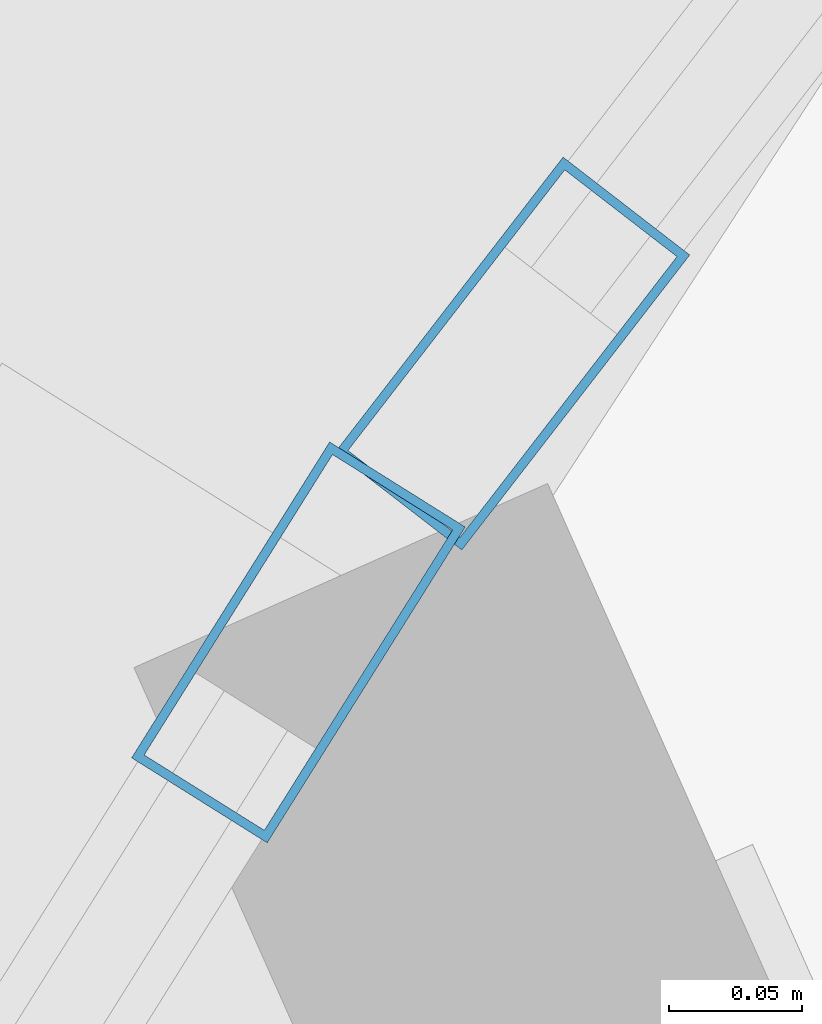
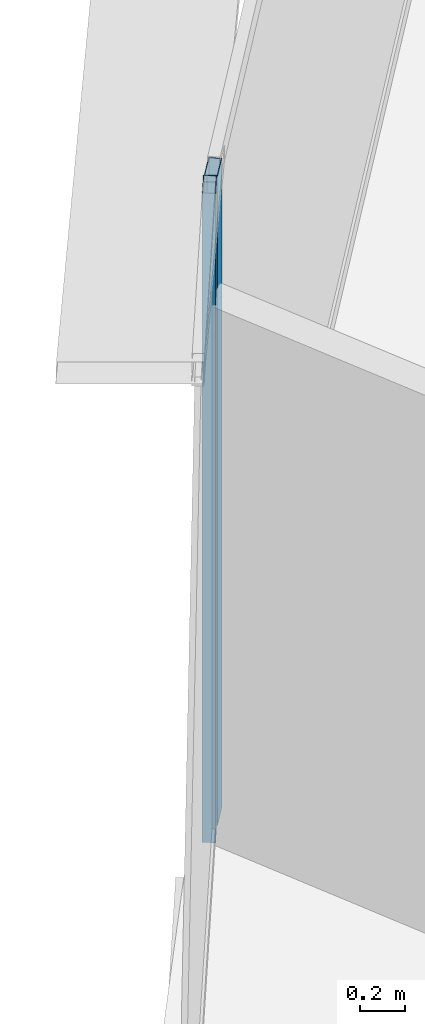
# One storey, part 16 of 29: 2 members, 2 elements without a shape of their own.
"""IFC4 building model written with IfcOpenShell, lengths in metres."""

from ifc_helpers import new_model, si_unit, direction, frame, origin, origin_2d, place, context, subcontext, project, spatial, hollow_rectangle, extrude, source, transform, mapped, material, layer, layer_set, material_profile, profile_set, type_object, element, aggregate, save


model = new_model("IFC4")

# Units and contexts
model_context = context("Model", 3, precision=1e-05, world=origin(), true_north=direction((0.0, 1.0)))
body_context = subcontext(model_context, "Body", "Model", "MODEL_VIEW")
ifc_project = project(units=[si_unit("LENGTHUNIT", "METRE"), si_unit("AREAUNIT", "SQUARE_METRE"), si_unit("VOLUMEUNIT", "CUBIC_METRE"), si_unit("PLANEANGLEUNIT", "RADIAN"), si_unit("MASSUNIT", "GRAM", prefix="KILO"), si_unit("THERMODYNAMICTEMPERATUREUNIT", "KELVIN"), si_unit("POWERUNIT", "WATT")], contexts=[model_context])

# Site, building, storey
site_placement = place(None, origin())
site = spatial("IfcSite", under=ifc_project, at=site_placement, CompositionType="ELEMENT")
building_placement = place(site_placement, origin())
building = spatial("IfcBuilding", under=site, at=building_placement, Name="Yunzhuo Pagoda Commons", CompositionType="ELEMENT")
storey_placement = place(building_placement, frame((0.0, 0.0, 359.260009765625)))
storey = spatial("IfcBuildingStorey", under=building, at=storey_placement, Name="L90", CompositionType="ELEMENT", Elevation=359.260009765625)

# Curtain wall, member
ifc_material = material(Name="Anodized aluminium 6063-T6", Category="aluminium")
ifc_layer = layer(ifc_material, 0.139892578125)
ifc_layer_set = layer_set([ifc_layer], Name="Anodized aluminium 6063-T6")
curtain_wall_type = type_object("IfcCurtainWallType", Name="CW-HI High-Zone Ribbon Curtain Wall", PredefinedType="NOTDEFINED", material=ifc_layer_set)
curtain_wall_1_placement = place(storey_placement, origin())
curtain_wall_1 = element("IfcCurtainWall", 1, at=curtain_wall_1_placement, inside=storey, type_object=curtain_wall_type, Name="L90 curtain wall CW-L90-F3B2", PredefinedType="NOTDEFINED")
ifc_material_profile = material_profile(ifc_material, hollow_rectangle(XDim=0.06005859375, YDim=0.139892578125, WallThickness=0.00341796875, at=origin_2d()), Name="Anodized aluminium 6063-T6")
ifc_profile_set = profile_set([ifc_material_profile], Name="Anodized aluminium 6063-T6")
member_type = type_object("IfcMemberType", Name="CW-HI-M Mullion RHS 140x60x3.5", PredefinedType="MULLION", material=ifc_profile_set)
shared_shape = source(origin(), body_context, "Body", "SweptSolid", [
    extrude(hollow_rectangle(XDim=0.06005859375, YDim=0.139892578125, WallThickness=0.00341796875, at=origin_2d()), origin(), (0.0, 0.0, 1.0), 3.489990234375),
])
member_1_placement = place(storey_placement, frame((36.735107421875, 58.9404296875, 0.0), z_axis=(0.0, 0.0, 1.0), x_axis=(0.847272854146, -0.531157896135, 0.0)))
member_1 = element("IfcMember", 2, at=member_1_placement, type_object=member_type, Name="CW mullion 1", PredefinedType="MULLION", context=body_context, shape_type="MappedRepresentation", body=[
    mapped(shared_shape, transform((0.0, 0.0, 0.0), scale=1.0)),
])
aggregate(curtain_wall_1, [member_1])

curtain_wall_2_placement = place(storey_placement, origin())
curtain_wall_2 = element("IfcCurtainWall", 3, at=curtain_wall_2_placement, inside=storey, type_object=curtain_wall_type, Name="L90 curtain wall CW-L90-F3B1", PredefinedType="NOTDEFINED")
member_2_placement = place(storey_placement, frame((36.8154296875, 59.048828125, 0.0), z_axis=(0.0, 0.0, 1.0), x_axis=(0.79134909847, -0.61136454293, 0.0)))
member_2 = element("IfcMember", 4, at=member_2_placement, type_object=member_type, Name="CW mullion 2", PredefinedType="MULLION", context=body_context, shape_type="MappedRepresentation", body=[
    mapped(shared_shape, transform((0.0, 0.0, 0.0), scale=1.0)),
])
aggregate(curtain_wall_2, [member_2])

save(model, "model.ifc")
